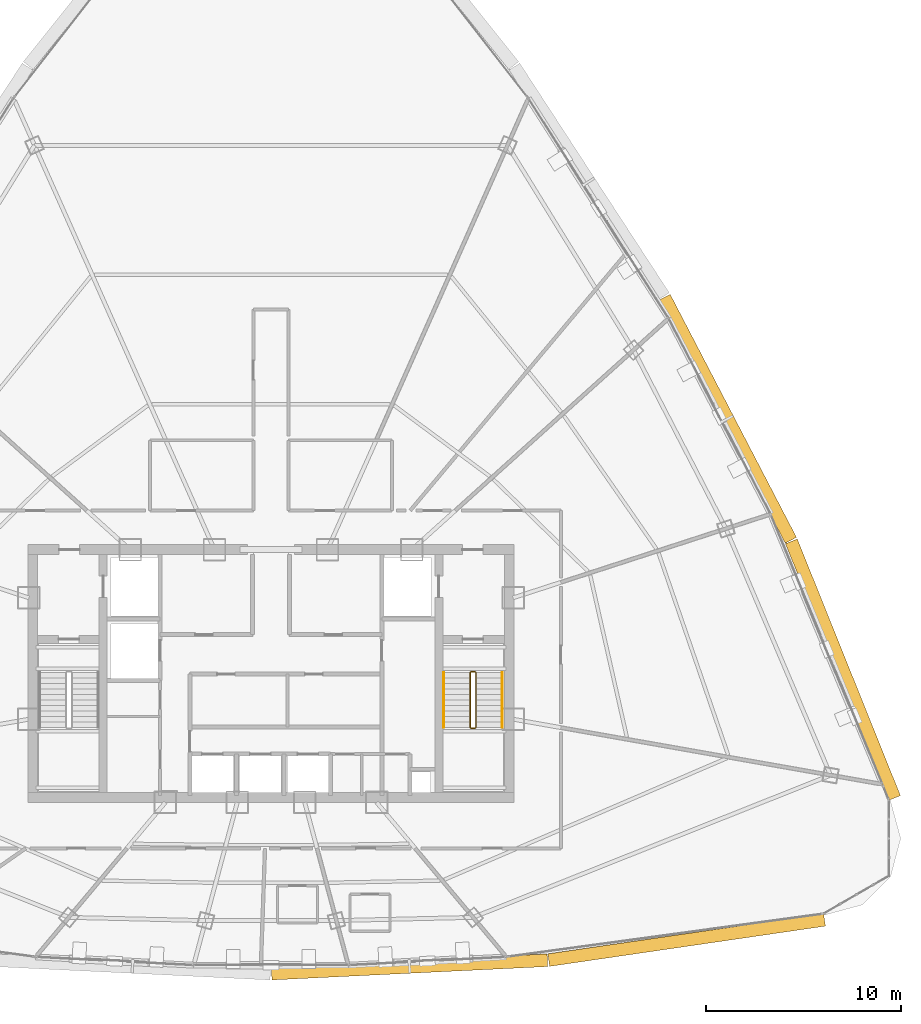
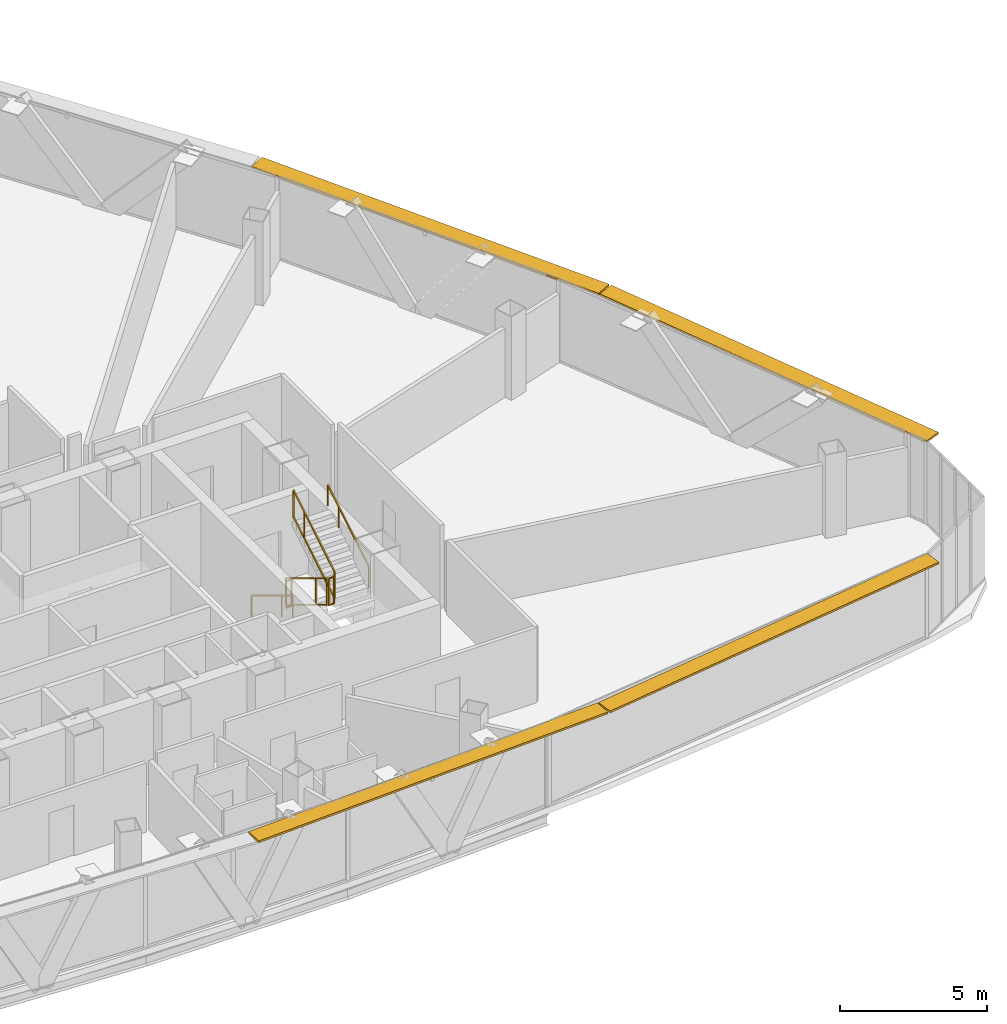
# One storey, part 38 of 39: 6 railings, 4 shading devices.
"""IFC4 building model written with IfcOpenShell, lengths in metres."""

from ifc_helpers import new_model, si_unit, direction, frame, origin, origin_2d, place, context, subcontext, project, spatial, rectangle, extrude, source, transform, mapped, material, layer, layer_set, type_object, element, save


model = new_model("IFC4")

# Units and contexts
model_context = context("Model", 3, precision=1e-05, world=origin(), true_north=direction((0.0, 1.0)))
body_context = subcontext(model_context, "Body", "Model", "MODEL_VIEW")
ifc_project = project(units=[si_unit("LENGTHUNIT", "METRE"), si_unit("AREAUNIT", "SQUARE_METRE"), si_unit("VOLUMEUNIT", "CUBIC_METRE"), si_unit("PLANEANGLEUNIT", "RADIAN"), si_unit("MASSUNIT", "GRAM", prefix="KILO"), si_unit("THERMODYNAMICTEMPERATUREUNIT", "KELVIN"), si_unit("POWERUNIT", "WATT")], contexts=[model_context])

# Site, building, storey
site_placement = place(None, origin())
site = spatial("IfcSite", under=ifc_project, at=site_placement, CompositionType="ELEMENT")
building_placement = place(site_placement, origin())
building = spatial("IfcBuilding", under=site, at=building_placement, Name="Yunzhuo Pagoda Commons", CompositionType="ELEMENT")
storey_placement = place(building_placement, frame((0.0, 0.0, 296.2099609375)))
storey = spatial("IfcBuildingStorey", under=building, at=storey_placement, Name="L74", CompositionType="ELEMENT", Elevation=296.2099609375)

# Railings
ifc_material = material(Name="Anodized aluminium 6063-T6", Category="aluminium")
railing_type_1 = type_object("IfcRailingType", Name="GR-ST2 Stair Well Guardrail 1160", PredefinedType="GUARDRAIL", material=ifc_material)
railing_1_placement = place(storey_placement, frame((58.199951171875, 33.89990234375, 0.169677734375)))
element("IfcRailing", 1, at=railing_1_placement, inside=storey, type_object=railing_type_1, Name="L74 ST2 stair guard 1", PredefinedType="GUARDRAIL", context=body_context, shape_type="SweptSolid", body=[
    extrude(rectangle(XDim=0.048095703125, YDim=0.048095703125, at=origin_2d()), frame((0.0, 0.0, 1.1259765625), z_axis=(0.0, -0.855406155521, 0.517957825596), x_axis=(1.0, 0.0, 0.0)), (0.0, 0.0, 1.0), 3.27294921875),
    extrude(rectangle(XDim=0.048095703125, YDim=0.048095703125, at=origin_2d()), frame((0.0, 0.0, 0.02392578125), z_axis=(0.0, -0.855406155521, 0.517957825596), x_axis=(1.0, 0.0, 0.0)), (0.0, 0.0, 1.0), 3.27294921875),
    extrude(rectangle(XDim=0.0419921875, YDim=0.0419921875, at=origin_2d()), origin(), (0.0, 0.0, 1.0), 1.101806640625),
    extrude(rectangle(XDim=0.0419921875, YDim=0.0419921875, at=origin_2d()), frame((0.0, -2.052978515625, 1.2431640625)), (0.0, 0.0, 1.0), 1.101806640625),
    extrude(rectangle(XDim=0.0419921875, YDim=0.0419921875, at=origin_2d()), frame((0.0, -2.7998046875, 1.6953125)), (0.0, 0.0, 1.0), 1.101806640625),
])
railing_2_placement = place(storey_placement, frame((58.25, 31.050048828125, 1.864990234375)))
element("IfcRailing", 2, at=railing_2_placement, inside=storey, type_object=railing_type_1, Name="L74 ST2 stair guard 2", PredefinedType="GUARDRAIL", context=body_context, shape_type="SweptSolid", body=[
    extrude(rectangle(XDim=0.048095703125, YDim=0.048095703125, at=origin_2d()), frame((0.0, 0.0, 1.1259765625), z_axis=(1.0, 0.0, 0.0), x_axis=(0.0, 1.0, 0.0)), (0.0, 0.0, 1.0), 0.199951171875),
    extrude(rectangle(XDim=0.048095703125, YDim=0.048095703125, at=origin_2d()), frame((0.0, 0.0, 0.02392578125), z_axis=(1.0, 0.0, 0.0), x_axis=(0.0, 1.0, 0.0)), (0.0, 0.0, 1.0), 0.199951171875),
    extrude(rectangle(XDim=0.0419921875, YDim=0.0419921875, at=origin_2d()), origin(), (0.0, 0.0, 1.0), 1.101806640625),
    extrude(rectangle(XDim=0.0419921875, YDim=0.0419921875, at=origin_2d()), frame((0.199951171875, 0.0, 0.0)), (0.0, 0.0, 1.0), 1.101806640625),
])
railing_3_placement = place(storey_placement, frame((58.5, 31.10009765625, 2.03466796875)))
element("IfcRailing", 3, at=railing_3_placement, inside=storey, type_object=railing_type_1, Name="L74 ST2 stair guard 3", PredefinedType="GUARDRAIL", context=body_context, shape_type="SweptSolid", body=[
    extrude(rectangle(XDim=0.048095703125, YDim=0.048095703125, at=origin_2d()), frame((0.0, 0.0, 1.1259765625), z_axis=(0.0, 0.855406155521, 0.517957825596), x_axis=(-1.0, 0.0, 0.0)), (0.0, 0.0, 1.0), 3.27294921875),
    extrude(rectangle(XDim=0.048095703125, YDim=0.048095703125, at=origin_2d()), frame((0.0, 0.0, 0.02392578125), z_axis=(0.0, 0.855406155521, 0.517957825596), x_axis=(-1.0, 0.0, 0.0)), (0.0, 0.0, 1.0), 3.27294921875),
    extrude(rectangle(XDim=0.0419921875, YDim=0.0419921875, at=origin_2d()), origin(), (0.0, 0.0, 1.0), 1.101806640625),
    extrude(rectangle(XDim=0.0419921875, YDim=0.0419921875, at=origin_2d()), frame((0.0, 2.052978515625, 1.2431640625)), (0.0, 0.0, 1.0), 1.101806640625),
    extrude(rectangle(XDim=0.0419921875, YDim=0.0419921875, at=origin_2d()), frame((0.0, 2.7998046875, 1.6953125)), (0.0, 0.0, 1.0), 1.101806640625),
])
railing_4_placement = place(storey_placement, frame((58.25, 33.949951171875, 0.0)))
element("IfcRailing", 4, at=railing_4_placement, inside=storey, type_object=railing_type_1, Name="L74 ST2 stair guard 4", PredefinedType="GUARDRAIL", context=body_context, shape_type="SweptSolid", body=[
    extrude(rectangle(XDim=0.048095703125, YDim=0.048095703125, at=origin_2d()), frame((0.0, 0.0, 1.1259765625), z_axis=(1.0, 0.0, 0.0), x_axis=(0.0, 1.0, 0.0)), (0.0, 0.0, 1.0), 0.199951171875),
    extrude(rectangle(XDim=0.048095703125, YDim=0.048095703125, at=origin_2d()), frame((0.0, 0.0, 0.02392578125), z_axis=(1.0, 0.0, 0.0), x_axis=(0.0, 1.0, 0.0)), (0.0, 0.0, 1.0), 0.199951171875),
    extrude(rectangle(XDim=0.0419921875, YDim=0.0419921875, at=origin_2d()), origin(), (0.0, 0.0, 1.0), 1.101806640625),
    extrude(rectangle(XDim=0.0419921875, YDim=0.0419921875, at=origin_2d()), frame((0.199951171875, 0.0, 0.0)), (0.0, 0.0, 1.0), 1.101806640625),
])
railing_type_2 = type_object("IfcRailingType", Name="HR-ST2 Stair Handrail 900", PredefinedType="HANDRAIL", material=ifc_material)
railing_5_placement = place(storey_placement, frame((56.85009765625, 33.89990234375, 0.169677734375)))
element("IfcRailing", 5, at=railing_5_placement, inside=storey, type_object=railing_type_2, Name="L74 ST2 stair handrail 1", PredefinedType="HANDRAIL", context=body_context, shape_type="SweptSolid", body=[
    extrude(rectangle(XDim=0.048095703125, YDim=0.048095703125, at=origin_2d()), frame((0.0, 0.0, 0.8759765625), z_axis=(0.0, -0.855406155521, 0.517957825596), x_axis=(1.0, 0.0, 0.0)), (0.0, 0.0, 1.0), 3.27294921875),
    extrude(rectangle(XDim=0.0419921875, YDim=0.0419921875, at=origin_2d()), origin(), (0.0, 0.0, 1.0), 0.851806640625),
    extrude(rectangle(XDim=0.0419921875, YDim=0.0419921875, at=origin_2d()), frame((0.0, -2.052978515625, 1.2431640625)), (0.0, 0.0, 1.0), 0.851806640625),
    extrude(rectangle(XDim=0.0419921875, YDim=0.0419921875, at=origin_2d()), frame((0.0, -2.7998046875, 1.6953125)), (0.0, 0.0, 1.0), 0.851806640625),
])
railing_6_placement = place(storey_placement, frame((59.85009765625, 31.10009765625, 2.03466796875)))
element("IfcRailing", 6, at=railing_6_placement, inside=storey, type_object=railing_type_2, Name="L74 ST2 stair handrail 2", PredefinedType="HANDRAIL", context=body_context, shape_type="SweptSolid", body=[
    extrude(rectangle(XDim=0.048095703125, YDim=0.048095703125, at=origin_2d()), frame((0.0, 0.0, 0.8759765625), z_axis=(0.0, 0.855406155521, 0.517957825596), x_axis=(-1.0, 0.0, 0.0)), (0.0, 0.0, 1.0), 3.27294921875),
    extrude(rectangle(XDim=0.0419921875, YDim=0.0419921875, at=origin_2d()), origin(), (0.0, 0.0, 1.0), 0.851806640625),
    extrude(rectangle(XDim=0.0419921875, YDim=0.0419921875, at=origin_2d()), frame((0.0, 2.052978515625, 1.2431640625)), (0.0, 0.0, 1.0), 0.851806640625),
    extrude(rectangle(XDim=0.0419921875, YDim=0.0419921875, at=origin_2d()), frame((0.0, 2.7998046875, 1.6953125)), (0.0, 0.0, 1.0), 0.851806640625),
])

# Shading devices
ifc_layer = layer(ifc_material, 0.080078125)
ifc_layer_set = layer_set([ifc_layer], Name="Anodized aluminium 6063-T6")
shading_device_type = type_object("IfcShadingDeviceType", Name="SH-SUN1 Pagoda Horizontal Sunshade Eave 650", PredefinedType="USERDEFINED", material=ifc_layer_set)
shared_shape_1 = source(origin(), body_context, "Body", "SweptSolid", [
    extrude(rectangle(XDim=14.2802734375, YDim=0.64990234375, at=origin_2d()), origin(), (0.0, 0.0, 1.0), 0.080078125),
])
shading_device_1_placement = place(storey_placement, frame((69.289794921875, 20.203369140625, 3.389892578125), z_axis=(0.0, 0.0, 1.0), x_axis=(0.989510666697, 0.144459823108, 0.0)))
element("IfcShadingDevice", 7, at=shading_device_1_placement, inside=storey, type_object=shading_device_type, Name="L74 horizontal pagoda sunshade eave F1.4", ObjectType="SUNSHADE", PredefinedType="USERDEFINED", context=body_context, shape_type="MappedRepresentation", body=[
    mapped(shared_shape_1, transform((0.0, 0.0, 0.0), scale=1.0)),
])
shared_shape_2 = source(origin(), body_context, "Body", "SweptSolid", [
    extrude(rectangle(XDim=14.14697265625, YDim=0.64990234375, at=origin_2d()), origin(), (0.0, 0.0, 1.0), 0.080078125),
])
shading_device_2_placement = place(storey_placement, frame((55.0966796875, 18.822021484375, 3.389892578125), z_axis=(0.0, 0.0, 1.0), x_axis=(0.998818043775, 0.04860571396, 0.0)))
element("IfcShadingDevice", 8, at=shading_device_2_placement, inside=storey, type_object=shading_device_type, Name="L74 horizontal pagoda sunshade eave F1.3", ObjectType="SUNSHADE", PredefinedType="USERDEFINED", context=body_context, shape_type="MappedRepresentation", body=[
    mapped(shared_shape_2, transform((0.0, 0.0, 0.0), scale=1.0)),
])
shared_shape_3 = source(origin(), body_context, "Body", "SweptSolid", [
    extrude(rectangle(XDim=14.165283203125, YDim=0.64990234375, at=origin_2d()), origin(), (0.0, 0.0, 1.0), 0.080078125),
])
shading_device_3_placement = place(storey_placement, frame((77.298583984375, 34.05029296875, 3.389892578125), z_axis=(0.0, 0.0, 1.0), x_axis=(-0.372987782576, 0.927836253899, 0.0)))
element("IfcShadingDevice", 9, at=shading_device_3_placement, inside=storey, type_object=shading_device_type, Name="L74 horizontal pagoda sunshade eave F2.1", ObjectType="SUNSHADE", PredefinedType="USERDEFINED", context=body_context, shape_type="MappedRepresentation", body=[
    mapped(shared_shape_3, transform((0.0, 0.0, 0.0), scale=1.0)),
])
shared_shape_4 = source(origin(), body_context, "Body", "SweptSolid", [
    extrude(rectangle(XDim=14.031005859375, YDim=0.64990234375, at=origin_2d()), origin(), (0.0, 0.0, 1.0), 0.080078125),
])
shading_device_4_placement = place(storey_placement, frame((71.394775390625, 46.904052734375, 3.389892578125), z_axis=(0.0, 0.0, 1.0), x_axis=(-0.461206683033, 0.88729273384, 0.0)))
element("IfcShadingDevice", 10, at=shading_device_4_placement, inside=storey, type_object=shading_device_type, Name="L74 horizontal pagoda sunshade eave F2.2", ObjectType="SUNSHADE", PredefinedType="USERDEFINED", context=body_context, shape_type="MappedRepresentation", body=[
    mapped(shared_shape_4, transform((0.0, 0.0, 0.0), scale=1.0)),
])

save(model, "model.ifc")
